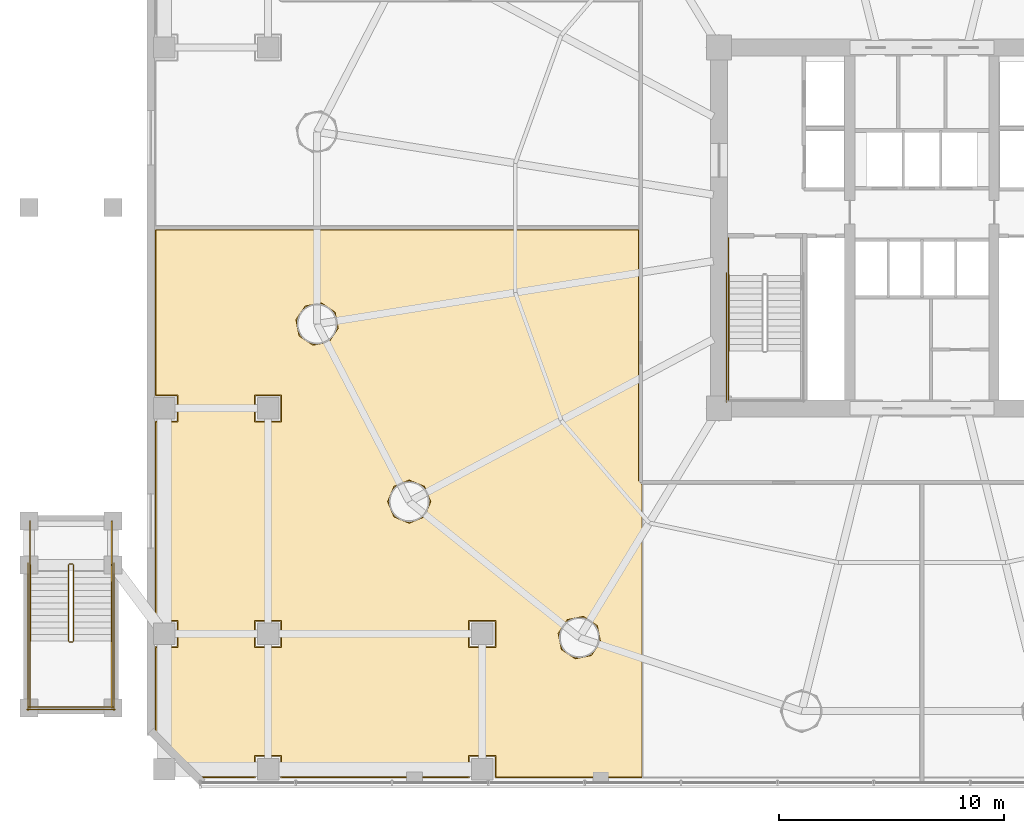
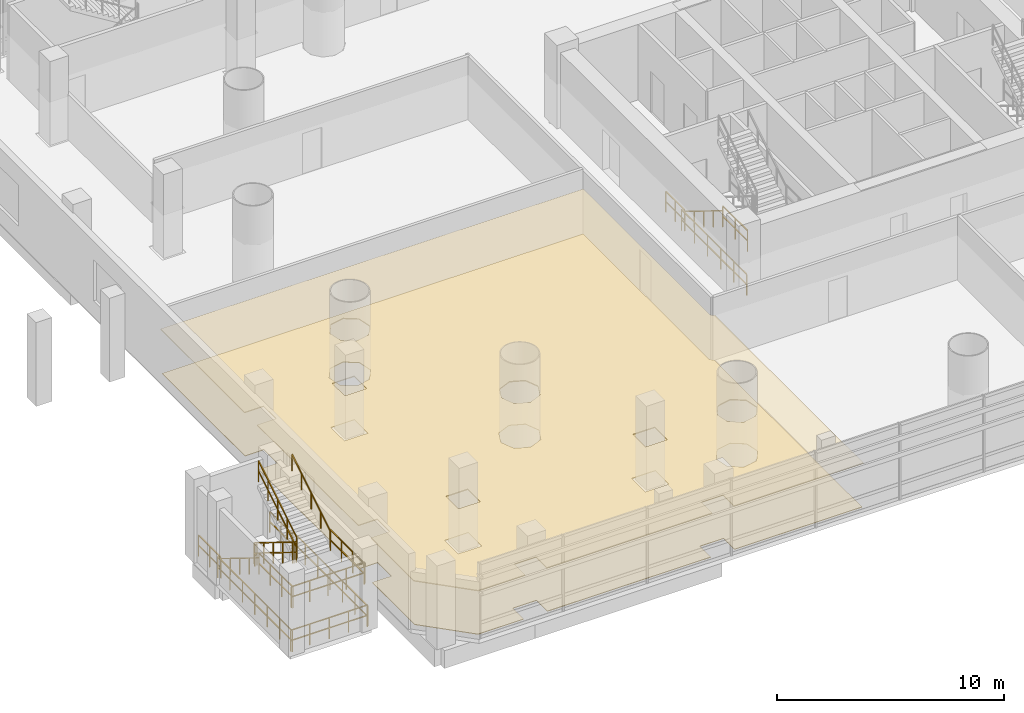
# One storey, part 27 of 36: 18 railings, 2 coverings.
"""IFC4 building model written with IfcOpenShell, lengths in metres."""

from ifc_helpers import new_model, si_unit, direction, frame, origin, origin_2d, place, context, subcontext, project, spatial, polyline, rectangle, outline, extrude, material, layer, layer_set, type_object, element, save


model = new_model("IFC4")

# Units and contexts
model_context = context("Model", 3, precision=1e-05, world=origin(), true_north=direction((-0.2419218956, 0.970295726276)))
body_context = subcontext(model_context, "Body", "Model", "MODEL_VIEW")
ifc_project = project(units=[si_unit("LENGTHUNIT", "METRE"), si_unit("AREAUNIT", "SQUARE_METRE"), si_unit("VOLUMEUNIT", "CUBIC_METRE"), si_unit("PLANEANGLEUNIT", "RADIAN"), si_unit("MASSUNIT", "GRAM", prefix="KILO")], contexts=[model_context])

# Site, building, storey
site_placement = place(None, origin())
site = spatial("IfcSite", under=ifc_project, at=site_placement, CompositionType="ELEMENT")
building_placement = place(site_placement, origin())
building = spatial("IfcBuilding", under=site, at=building_placement, Name="Cobrevalo Terracotta Tower", CompositionType="ELEMENT")
storey_placement = place(building_placement, frame((0.0, 0.0, 14.39990234375)))
storey = spatial("IfcBuildingStorey", under=building, at=storey_placement, Name="L03", CompositionType="ELEMENT", Elevation=14.39990234375)

# Coverings
ifc_material_1 = material(Name="Honed terracotta and granite tile", Category="masonry")
ifc_layer_1 = layer(ifc_material_1, 0.034912109375)
ifc_layer_set_1 = layer_set([ifc_layer_1], Name="Honed terracotta and granite tile")
covering_type_1 = type_object("IfcCoveringType", Name="Honed Terracotta & Granite Interior Flooring 35", PredefinedType="FLOORING", material=ifc_layer_set_1)
covering_1_placement = place(storey_placement, origin())
element("IfcCovering", 1, at=covering_1_placement, inside=storey, type_object=covering_type_1, Name="L03 Hydrotherapy Spa Suite floor finish", PredefinedType="FLOORING", context=body_context, shape_type="SweptSolid", body=[
    extrude(outline(polyline([(4.0400390625, 4.478271484375), (4.0400390625, 8.199951171875), (5.0, 8.199951171875), (5.0, 9.39990234375), (4.0400390625, 9.39990234375), (4.0400390625, 18.199951171875), (5.0, 18.199951171875), (5.0, 19.39990234375), (4.0400390625, 19.39990234375), (4.0400390625, 26.699951171875), (25.419921875, 26.699951171875), (25.419921875, 15.59814453125), (25.580078125, 15.423583984375), (25.580078125, 2.43994140625), (19.10009765625, 2.43994140625), (19.10009765625, 3.39990234375), (17.89990234375, 3.39990234375), (17.89990234375, 2.43994140625), (9.60009765625, 2.43994140625), (9.60009765625, 3.39990234375), (8.39990234375, 3.39990234375), (8.39990234375, 2.43994140625), (6.078369140625, 2.43994140625), (4.0400390625, 4.478271484375)]), holes=[polyline([(23.338623046875, 7.833984375), (23.746826171875, 8.445068359375), (23.603515625, 9.165771484375), (22.992431640625, 9.573974609375), (22.271728515625, 9.4306640625), (21.863525390625, 8.819580078125), (22.0068359375, 8.098876953125), (22.617919921875, 7.690673828125), (23.338623046875, 7.833984375)]), polyline([(17.89990234375, 9.39990234375), (17.89990234375, 8.199951171875), (19.10009765625, 8.199951171875), (19.10009765625, 9.39990234375), (17.89990234375, 9.39990234375)]), polyline([(15.938232421875, 13.98193359375), (16.219482421875, 14.660888671875), (15.938232421875, 15.339599609375), (15.25927734375, 15.620849609375), (14.580322265625, 15.339599609375), (14.29931640625, 14.660888671875), (14.580322265625, 13.98193359375), (15.25927734375, 13.70068359375), (15.938232421875, 13.98193359375)]), polyline([(11.708984375, 21.739013671875), (12.1171875, 22.349853515625), (11.973876953125, 23.07080078125), (11.36279296875, 23.47900390625), (10.64208984375, 23.33544921875), (10.23388671875, 22.724609375), (10.377197265625, 22.00390625), (10.98828125, 21.595703125), (11.708984375, 21.739013671875)]), polyline([(8.39990234375, 9.39990234375), (8.39990234375, 8.199951171875), (9.60009765625, 8.199951171875), (9.60009765625, 9.39990234375), (8.39990234375, 9.39990234375)]), polyline([(8.39990234375, 19.39990234375), (8.39990234375, 18.199951171875), (9.60009765625, 18.199951171875), (9.60009765625, 19.39990234375), (8.39990234375, 19.39990234375)])]), origin(), (0.0, 0.0, 1.0), 0.030029296875),
])
ifc_material_2 = material(Name="Acoustic perforated gypsum ceiling", Category="gypsum")
ifc_layer_2 = layer(ifc_material_2, 0.050048828125)
ifc_layer_set_2 = layer_set([ifc_layer_2], Name="Acoustic perforated gypsum ceiling")
covering_type_2 = type_object("IfcCoveringType", Name="Perforated Acoustic Gypsum Ceiling 50", PredefinedType="CEILING", material=ifc_layer_set_2)
covering_2_placement = place(storey_placement, frame((0.0, 0.0, 2.360107421875)))
element("IfcCovering", 2, at=covering_2_placement, inside=storey, type_object=covering_type_2, Name="L03 Hydrotherapy Spa Suite acoustic ceiling", PredefinedType="CEILING", context=body_context, shape_type="SweptSolid", body=[
    extrude(outline(polyline([(3.9951171875, 4.459716796875), (3.9951171875, 8.2451171875), (4.955078125, 8.2451171875), (4.955078125, 9.35498046875), (3.9951171875, 9.35498046875), (3.9951171875, 18.2451171875), (4.955078125, 18.2451171875), (4.955078125, 19.35498046875), (3.9951171875, 19.35498046875), (3.9951171875, 26.7451171875), (25.465087890625, 26.7451171875), (25.465087890625, 15.6025390625), (25.625, 15.46044921875), (25.625, 2.39501953125), (19.054931640625, 2.39501953125), (19.054931640625, 3.35498046875), (17.945068359375, 3.35498046875), (17.945068359375, 2.39501953125), (9.554931640625, 2.39501953125), (9.554931640625, 3.35498046875), (8.445068359375, 3.35498046875), (8.445068359375, 2.39501953125), (6.0595703125, 2.39501953125), (3.9951171875, 4.459716796875)]), holes=[polyline([(23.3134765625, 7.87158203125), (23.702392578125, 8.453857421875), (23.56591796875, 9.140625), (22.983642578125, 9.52978515625), (22.296875, 9.39306640625), (21.907958984375, 8.810791015625), (22.04443359375, 8.1240234375), (22.626708984375, 7.735107421875), (23.3134765625, 7.87158203125)]), polyline([(17.945068359375, 9.35498046875), (17.945068359375, 8.2451171875), (19.054931640625, 8.2451171875), (19.054931640625, 9.35498046875), (17.945068359375, 9.35498046875)]), polyline([(15.90625, 14.013916015625), (16.174072265625, 14.660888671875), (15.90625, 15.3076171875), (15.25927734375, 15.57568359375), (14.6123046875, 15.3076171875), (14.344482421875, 14.660888671875), (14.6123046875, 14.013916015625), (15.25927734375, 13.745849609375), (15.90625, 14.013916015625)]), polyline([(11.683837890625, 21.776611328125), (12.07275390625, 22.35888671875), (11.936279296875, 23.045654296875), (11.35400390625, 23.4345703125), (10.667236328125, 23.2978515625), (10.2783203125, 22.7158203125), (10.414794921875, 22.029052734375), (10.9970703125, 21.639892578125), (11.683837890625, 21.776611328125)]), polyline([(8.445068359375, 9.35498046875), (8.445068359375, 8.2451171875), (9.554931640625, 8.2451171875), (9.554931640625, 9.35498046875), (8.445068359375, 9.35498046875)]), polyline([(8.445068359375, 19.35498046875), (8.445068359375, 18.2451171875), (9.554931640625, 18.2451171875), (9.554931640625, 19.35498046875), (8.445068359375, 19.35498046875)])]), origin(), (0.0, 0.0, 1.0), 0.050048828125),
])

# Railings
ifc_material_3 = material(Name="Brushed stainless steel", Category="steel")
railing_type_1 = type_object("IfcRailingType", Name="Stainless Steel Stair Handrail 900", PredefinedType="HANDRAIL", material=ifc_material_3)
railing_1_placement = place(storey_placement, frame((29.425048828125, 24.699951171875, 0.173095703125)))
element("IfcRailing", 3, at=railing_1_placement, inside=storey, type_object=railing_type_1, Name="L03 ST-1 stair handrail 1", PredefinedType="HANDRAIL", context=body_context, shape_type="SweptSolid", body=[
    extrude(rectangle(XDim=0.048095703125, YDim=0.048095703125, at=origin_2d()), frame((0.0, 0.0, 0.8759765625), z_axis=(0.0, -0.850606129759, 0.525803396734), x_axis=(1.0, 0.0, 0.0)), (0.0, 0.0, 1.0), 3.949951171875),
    extrude(rectangle(XDim=0.0419921875, YDim=0.0419921875, at=origin_2d()), origin(), (0.0, 0.0, 1.0), 0.851806640625),
    extrude(rectangle(XDim=0.0419921875, YDim=0.0419921875, at=origin_2d()), frame((0.0, -0.83984375, 0.519287109375)), (0.0, 0.0, 1.0), 0.851806640625),
    extrude(rectangle(XDim=0.0419921875, YDim=0.0419921875, at=origin_2d()), frame((0.0, -1.679931640625, 1.03857421875)), (0.0, 0.0, 1.0), 0.851806640625),
    extrude(rectangle(XDim=0.0419921875, YDim=0.0419921875, at=origin_2d()), frame((0.0, -2.52001953125, 1.5576171875)), (0.0, 0.0, 1.0), 0.851806640625),
    extrude(rectangle(XDim=0.0419921875, YDim=0.0419921875, at=origin_2d()), frame((0.0, -3.35986328125, 2.076904296875)), (0.0, 0.0, 1.0), 0.851806640625),
])
railing_2_placement = place(storey_placement, frame((-1.550048828125, 11.85009765625, 0.173095703125)))
element("IfcRailing", 4, at=railing_2_placement, inside=storey, type_object=railing_type_1, Name="L03 ST-EXT-W stair handrail 1", PredefinedType="HANDRAIL", context=body_context, shape_type="SweptSolid", body=[
    extrude(rectangle(XDim=0.048095703125, YDim=0.048095703125, at=origin_2d()), frame((0.0, 0.0, 0.8759765625), z_axis=(0.0, -0.850623216509, 0.525775754039), x_axis=(1.0, 0.0, 0.0)), (0.0, 0.0, 1.0), 3.9501953125),
    extrude(rectangle(XDim=0.0419921875, YDim=0.0419921875, at=origin_2d()), origin(), (0.0, 0.0, 1.0), 0.851806640625),
    extrude(rectangle(XDim=0.0419921875, YDim=0.0419921875, at=origin_2d()), frame((0.0, -0.840087890625, 0.519287109375)), (0.0, 0.0, 1.0), 0.851806640625),
    extrude(rectangle(XDim=0.0419921875, YDim=0.0419921875, at=origin_2d()), frame((0.0, -1.68017578125, 1.03857421875)), (0.0, 0.0, 1.0), 0.851806640625),
    extrude(rectangle(XDim=0.0419921875, YDim=0.0419921875, at=origin_2d()), frame((0.0, -2.52001953125, 1.5576171875)), (0.0, 0.0, 1.0), 0.851806640625),
    extrude(rectangle(XDim=0.0419921875, YDim=0.0419921875, at=origin_2d()), frame((0.0, -3.360107421875, 2.076904296875)), (0.0, 0.0, 1.0), 0.851806640625),
])
railing_3_placement = place(storey_placement, frame((2.070068359375, 8.489990234375, 2.423095703125)))
element("IfcRailing", 5, at=railing_3_placement, inside=storey, type_object=railing_type_1, Name="L03 ST-EXT-W stair handrail 2", PredefinedType="HANDRAIL", context=body_context, shape_type="SweptSolid", body=[
    extrude(rectangle(XDim=0.048095703125, YDim=0.048095703125, at=origin_2d()), frame((0.0, 0.0, 0.8759765625), z_axis=(0.0, 0.850623216509, 0.525775754039), x_axis=(-1.0, 0.0, 0.0)), (0.0, 0.0, 1.0), 3.9501953125),
    extrude(rectangle(XDim=0.0419921875, YDim=0.0419921875, at=origin_2d()), origin(), (0.0, 0.0, 1.0), 0.851806640625),
    extrude(rectangle(XDim=0.0419921875, YDim=0.0419921875, at=origin_2d()), frame((0.0, 0.840087890625, 0.519287109375)), (0.0, 0.0, 1.0), 0.851806640625),
    extrude(rectangle(XDim=0.0419921875, YDim=0.0419921875, at=origin_2d()), frame((0.0, 1.68017578125, 1.03857421875)), (0.0, 0.0, 1.0), 0.851806640625),
    extrude(rectangle(XDim=0.0419921875, YDim=0.0419921875, at=origin_2d()), frame((0.0, 2.52001953125, 1.5576171875)), (0.0, 0.0, 1.0), 0.851806640625),
    extrude(rectangle(XDim=0.0419921875, YDim=0.0419921875, at=origin_2d()), frame((0.0, 3.360107421875, 2.076904296875)), (0.0, 0.0, 1.0), 0.851806640625),
])
ifc_material_4 = material(Name="Painted galvanized steel", Category="steel")
railing_type_2 = type_object("IfcRailingType", Name="Stair Well Guard Balustrade 1150", PredefinedType="GUARDRAIL", material=ifc_material_4)
railing_4_placement = place(storey_placement, frame((29.425048828125, 21.340087890625, 2.25)))
element("IfcRailing", 6, at=railing_4_placement, inside=storey, type_object=railing_type_2, Name="L03 ST-1 stair guard 3", PredefinedType="GUARDRAIL", context=body_context, shape_type="SweptSolid", body=[
    extrude(rectangle(XDim=0.048095703125, YDim=0.048095703125, at=origin_2d()), frame((0.0, 0.0, 1.1259765625), z_axis=(0.0, -1.0, 0.0), x_axis=(1.0, 0.0, 0.0)), (0.0, 0.0, 1.0), 2.1650390625),
    extrude(rectangle(XDim=0.048095703125, YDim=0.048095703125, at=origin_2d()), frame((0.0, 0.0, 0.574951171875), z_axis=(0.0, -1.0, 0.0), x_axis=(1.0, 0.0, 0.0)), (0.0, 0.0, 1.0), 2.1650390625),
    extrude(rectangle(XDim=0.0419921875, YDim=0.0419921875, at=origin_2d()), origin(), (0.0, 0.0, 1.0), 1.101806640625),
    extrude(rectangle(XDim=0.0419921875, YDim=0.0419921875, at=origin_2d()), frame((0.0, -1.08251953125, 0.0)), (0.0, 0.0, 1.0), 1.101806640625),
    extrude(rectangle(XDim=0.0419921875, YDim=0.0419921875, at=origin_2d()), frame((0.0, -2.1650390625, 0.0)), (0.0, 0.0, 1.0), 1.101806640625),
])
railing_5_placement = place(storey_placement, frame((29.425048828125, 26.35009765625, 0.0)))
element("IfcRailing", 7, at=railing_5_placement, inside=storey, type_object=railing_type_2, Name="L03 ST-1 stair guard 8", PredefinedType="GUARDRAIL", context=body_context, shape_type="SweptSolid", body=[
    extrude(rectangle(XDim=0.048095703125, YDim=0.048095703125, at=origin_2d()), frame((0.0, 0.0, 1.1259765625), z_axis=(0.0, -1.0, 0.0), x_axis=(1.0, 0.0, 0.0)), (0.0, 0.0, 1.0), 1.650146484375),
    extrude(rectangle(XDim=0.048095703125, YDim=0.048095703125, at=origin_2d()), frame((0.0, 0.0, 0.574951171875), z_axis=(0.0, -1.0, 0.0), x_axis=(1.0, 0.0, 0.0)), (0.0, 0.0, 1.0), 1.650146484375),
    extrude(rectangle(XDim=0.0419921875, YDim=0.0419921875, at=origin_2d()), origin(), (0.0, 0.0, 1.0), 1.101806640625),
    extrude(rectangle(XDim=0.0419921875, YDim=0.0419921875, at=origin_2d()), frame((0.0, -0.8251953125, 0.0)), (0.0, 0.0, 1.0), 1.101806640625),
    extrude(rectangle(XDim=0.0419921875, YDim=0.0419921875, at=origin_2d()), frame((0.0, -1.650146484375, 0.0)), (0.0, 0.0, 1.0), 1.101806640625),
])
railing_6_placement = place(storey_placement, frame((29.324951171875, 24.800048828125, 0.0)))
element("IfcRailing", 8, at=railing_6_placement, inside=storey, type_object=railing_type_2, Name="L03 ST-1 stair guard 10", PredefinedType="GUARDRAIL", context=body_context, shape_type="SweptSolid", body=[
    extrude(rectangle(XDim=0.048095703125, YDim=0.048095703125, at=origin_2d()), frame((0.0, 0.0, 1.1259765625), z_axis=(0.0, -1.0, 0.0), x_axis=(1.0, 0.0, 0.0)), (0.0, 0.0, 1.0), 5.72509765625),
    extrude(rectangle(XDim=0.048095703125, YDim=0.048095703125, at=origin_2d()), frame((0.0, 0.0, 0.574951171875), z_axis=(0.0, -1.0, 0.0), x_axis=(1.0, 0.0, 0.0)), (0.0, 0.0, 1.0), 5.72509765625),
    extrude(rectangle(XDim=0.0419921875, YDim=0.0419921875, at=origin_2d()), origin(), (0.0, 0.0, 1.0), 1.101806640625),
    extrude(rectangle(XDim=0.0419921875, YDim=0.0419921875, at=origin_2d()), frame((0.0, -1.14501953125, 0.0)), (0.0, 0.0, 1.0), 1.101806640625),
    extrude(rectangle(XDim=0.0419921875, YDim=0.0419921875, at=origin_2d()), frame((0.0, -2.2900390625, 0.0)), (0.0, 0.0, 1.0), 1.101806640625),
    extrude(rectangle(XDim=0.0419921875, YDim=0.0419921875, at=origin_2d()), frame((0.0, -3.43505859375, 0.0)), (0.0, 0.0, 1.0), 1.101806640625),
    extrude(rectangle(XDim=0.0419921875, YDim=0.0419921875, at=origin_2d()), frame((0.0, -4.580078125, 0.0)), (0.0, 0.0, 1.0), 1.101806640625),
    extrude(rectangle(XDim=0.0419921875, YDim=0.0419921875, at=origin_2d()), frame((0.0, -5.72509765625, 0.0)), (0.0, 0.0, 1.0), 1.101806640625),
])
railing_7_placement = place(storey_placement, frame((0.14990234375, 11.85009765625, 0.173095703125)))
element("IfcRailing", 9, at=railing_7_placement, inside=storey, type_object=railing_type_2, Name="L03 ST-EXT-W stair guard 1", PredefinedType="GUARDRAIL", context=body_context, shape_type="SweptSolid", body=[
    extrude(rectangle(XDim=0.048095703125, YDim=0.048095703125, at=origin_2d()), frame((0.0, 0.0, 1.1259765625), z_axis=(0.0, -0.850623216509, 0.525775754039), x_axis=(1.0, 0.0, 0.0)), (0.0, 0.0, 1.0), 3.9501953125),
    extrude(rectangle(XDim=0.048095703125, YDim=0.048095703125, at=origin_2d()), frame((0.0, 0.0, 0.574951171875), z_axis=(0.0, -0.850623216509, 0.525775754039), x_axis=(1.0, 0.0, 0.0)), (0.0, 0.0, 1.0), 3.9501953125),
    extrude(rectangle(XDim=0.0419921875, YDim=0.0419921875, at=origin_2d()), origin(), (0.0, 0.0, 1.0), 1.101806640625),
    extrude(rectangle(XDim=0.0419921875, YDim=0.0419921875, at=origin_2d()), frame((0.0, -0.840087890625, 0.519287109375)), (0.0, 0.0, 1.0), 1.101806640625),
    extrude(rectangle(XDim=0.0419921875, YDim=0.0419921875, at=origin_2d()), frame((0.0, -1.68017578125, 1.03857421875)), (0.0, 0.0, 1.0), 1.101806640625),
    extrude(rectangle(XDim=0.0419921875, YDim=0.0419921875, at=origin_2d()), frame((0.0, -2.52001953125, 1.5576171875)), (0.0, 0.0, 1.0), 1.101806640625),
    extrude(rectangle(XDim=0.0419921875, YDim=0.0419921875, at=origin_2d()), frame((0.0, -3.360107421875, 2.076904296875)), (0.0, 0.0, 1.0), 1.101806640625),
])
railing_8_placement = place(storey_placement, frame((0.199951171875, 8.43994140625, 2.25)))
element("IfcRailing", 10, at=railing_8_placement, inside=storey, type_object=railing_type_2, Name="L03 ST-EXT-W stair guard 2", PredefinedType="GUARDRAIL", context=body_context, shape_type="SweptSolid", body=[
    extrude(rectangle(XDim=0.048095703125, YDim=0.048095703125, at=origin_2d()), frame((0.0, 0.0, 1.1259765625), z_axis=(1.0, 0.0, 0.0), x_axis=(0.0, 1.0, 0.0)), (0.0, 0.0, 1.0), 0.1201171875),
    extrude(rectangle(XDim=0.048095703125, YDim=0.048095703125, at=origin_2d()), frame((0.0, 0.0, 0.574951171875), z_axis=(1.0, 0.0, 0.0), x_axis=(0.0, 1.0, 0.0)), (0.0, 0.0, 1.0), 0.1201171875),
    extrude(rectangle(XDim=0.0419921875, YDim=0.0419921875, at=origin_2d()), origin(), (0.0, 0.0, 1.0), 1.101806640625),
    extrude(rectangle(XDim=0.0419921875, YDim=0.0419921875, at=origin_2d()), frame((0.1201171875, 0.0, 0.0)), (0.0, 0.0, 1.0), 1.101806640625),
])
for number, where, name in (
    (11, (-1.550048828125, 8.489990234375, 2.25), "L03 ST-EXT-W stair guard 3"),
    (12, (2.070068359375, 8.489990234375, 2.25), "L03 ST-EXT-W stair guard 4"),
):
    element("IfcRailing", number, at=place(storey_placement, frame(where)), inside=storey, type_object=railing_type_2, Name=name, PredefinedType="GUARDRAIL", context=body_context, shape_type="SweptSolid", body=[
        extrude(rectangle(XDim=0.048095703125, YDim=0.048095703125, at=origin_2d()), frame((0.0, 0.0, 1.1259765625), z_axis=(0.0, -1.0, 0.0), x_axis=(1.0, 0.0, 0.0)), (0.0, 0.0, 1.0), 2.989990234375),
        extrude(rectangle(XDim=0.048095703125, YDim=0.048095703125, at=origin_2d()), frame((0.0, 0.0, 0.574951171875), z_axis=(0.0, -1.0, 0.0), x_axis=(1.0, 0.0, 0.0)), (0.0, 0.0, 1.0), 2.989990234375),
        extrude(rectangle(XDim=0.0419921875, YDim=0.0419921875, at=origin_2d()), origin(), (0.0, 0.0, 1.0), 1.101806640625),
        extrude(rectangle(XDim=0.0419921875, YDim=0.0419921875, at=origin_2d()), frame((0.0, -0.99658203125, 0.0)), (0.0, 0.0, 1.0), 1.101806640625),
        extrude(rectangle(XDim=0.0419921875, YDim=0.0419921875, at=origin_2d()), frame((0.0, -1.993408203125, 0.0)), (0.0, 0.0, 1.0), 1.101806640625),
        extrude(rectangle(XDim=0.0419921875, YDim=0.0419921875, at=origin_2d()), frame((0.0, -2.989990234375, 0.0)), (0.0, 0.0, 1.0), 1.101806640625),
    ])
railing_9_placement = place(storey_placement, frame((-1.60009765625, 5.550048828125, 2.25)))
element("IfcRailing", 13, at=railing_9_placement, inside=storey, type_object=railing_type_2, Name="L03 ST-EXT-W stair guard 5", PredefinedType="GUARDRAIL", context=body_context, shape_type="SweptSolid", body=[
    extrude(rectangle(XDim=0.048095703125, YDim=0.048095703125, at=origin_2d()), frame((0.0, 0.0, 1.1259765625), z_axis=(1.0, 0.0, 0.0), x_axis=(0.0, 1.0, 0.0)), (0.0, 0.0, 1.0), 3.72021484375),
    extrude(rectangle(XDim=0.048095703125, YDim=0.048095703125, at=origin_2d()), frame((0.0, 0.0, 0.574951171875), z_axis=(1.0, 0.0, 0.0), x_axis=(0.0, 1.0, 0.0)), (0.0, 0.0, 1.0), 3.72021484375),
    extrude(rectangle(XDim=0.0419921875, YDim=0.0419921875, at=origin_2d()), origin(), (0.0, 0.0, 1.0), 1.101806640625),
    extrude(rectangle(XDim=0.0419921875, YDim=0.0419921875, at=origin_2d()), frame((0.93017578125, 0.0, 0.0)), (0.0, 0.0, 1.0), 1.101806640625),
    extrude(rectangle(XDim=0.0419921875, YDim=0.0419921875, at=origin_2d()), frame((1.860107421875, 0.0, 0.0)), (0.0, 0.0, 1.0), 1.101806640625),
    extrude(rectangle(XDim=0.0419921875, YDim=0.0419921875, at=origin_2d()), frame((2.7900390625, 0.0, 0.0)), (0.0, 0.0, 1.0), 1.101806640625),
    extrude(rectangle(XDim=0.0419921875, YDim=0.0419921875, at=origin_2d()), frame((3.72021484375, 0.0, 0.0)), (0.0, 0.0, 1.0), 1.101806640625),
])
railing_10_placement = place(storey_placement, frame((0.3701171875, 8.489990234375, 2.423095703125)))
element("IfcRailing", 14, at=railing_10_placement, inside=storey, type_object=railing_type_2, Name="L03 ST-EXT-W stair guard 6", PredefinedType="GUARDRAIL", context=body_context, shape_type="SweptSolid", body=[
    extrude(rectangle(XDim=0.048095703125, YDim=0.048095703125, at=origin_2d()), frame((0.0, 0.0, 1.1259765625), z_axis=(0.0, 0.850623216509, 0.525775754039), x_axis=(-1.0, 0.0, 0.0)), (0.0, 0.0, 1.0), 3.9501953125),
    extrude(rectangle(XDim=0.048095703125, YDim=0.048095703125, at=origin_2d()), frame((0.0, 0.0, 0.574951171875), z_axis=(0.0, 0.850623216509, 0.525775754039), x_axis=(-1.0, 0.0, 0.0)), (0.0, 0.0, 1.0), 3.9501953125),
    extrude(rectangle(XDim=0.0419921875, YDim=0.0419921875, at=origin_2d()), origin(), (0.0, 0.0, 1.0), 1.101806640625),
    extrude(rectangle(XDim=0.0419921875, YDim=0.0419921875, at=origin_2d()), frame((0.0, 0.840087890625, 0.519287109375)), (0.0, 0.0, 1.0), 1.101806640625),
    extrude(rectangle(XDim=0.0419921875, YDim=0.0419921875, at=origin_2d()), frame((0.0, 1.68017578125, 1.03857421875)), (0.0, 0.0, 1.0), 1.101806640625),
    extrude(rectangle(XDim=0.0419921875, YDim=0.0419921875, at=origin_2d()), frame((0.0, 2.52001953125, 1.5576171875)), (0.0, 0.0, 1.0), 1.101806640625),
    extrude(rectangle(XDim=0.0419921875, YDim=0.0419921875, at=origin_2d()), frame((0.0, 3.360107421875, 2.076904296875)), (0.0, 0.0, 1.0), 1.101806640625),
])
railing_11_placement = place(storey_placement, frame((0.199951171875, 11.89990234375, 0.0)))
element("IfcRailing", 15, at=railing_11_placement, inside=storey, type_object=railing_type_2, Name="L03 ST-EXT-W stair guard 7", PredefinedType="GUARDRAIL", context=body_context, shape_type="SweptSolid", body=[
    extrude(rectangle(XDim=0.048095703125, YDim=0.048095703125, at=origin_2d()), frame((0.0, 0.0, 1.1259765625), z_axis=(1.0, 0.0, 0.0), x_axis=(0.0, 1.0, 0.0)), (0.0, 0.0, 1.0), 0.1201171875),
    extrude(rectangle(XDim=0.048095703125, YDim=0.048095703125, at=origin_2d()), frame((0.0, 0.0, 0.574951171875), z_axis=(1.0, 0.0, 0.0), x_axis=(0.0, 1.0, 0.0)), (0.0, 0.0, 1.0), 0.1201171875),
    extrude(rectangle(XDim=0.0419921875, YDim=0.0419921875, at=origin_2d()), origin(), (0.0, 0.0, 1.0), 1.101806640625),
    extrude(rectangle(XDim=0.0419921875, YDim=0.0419921875, at=origin_2d()), frame((0.1201171875, 0.0, 0.0)), (0.0, 0.0, 1.0), 1.101806640625),
])
for number, where, name in (
    (16, (-1.550048828125, 13.800048828125, 0.0), "L03 ST-EXT-W stair guard 8"),
    (17, (2.070068359375, 13.800048828125, 0.0), "L03 ST-EXT-W stair guard 9"),
):
    element("IfcRailing", number, at=place(storey_placement, frame(where)), inside=storey, type_object=railing_type_2, Name=name, PredefinedType="GUARDRAIL", context=body_context, shape_type="SweptSolid", body=[
        extrude(rectangle(XDim=0.048095703125, YDim=0.048095703125, at=origin_2d()), frame((0.0, 0.0, 1.1259765625), z_axis=(0.0, -1.0, 0.0), x_axis=(1.0, 0.0, 0.0)), (0.0, 0.0, 1.0), 1.949951171875),
        extrude(rectangle(XDim=0.048095703125, YDim=0.048095703125, at=origin_2d()), frame((0.0, 0.0, 0.574951171875), z_axis=(0.0, -1.0, 0.0), x_axis=(1.0, 0.0, 0.0)), (0.0, 0.0, 1.0), 1.949951171875),
        extrude(rectangle(XDim=0.0419921875, YDim=0.0419921875, at=origin_2d()), origin(), (0.0, 0.0, 1.0), 1.101806640625),
        extrude(rectangle(XDim=0.0419921875, YDim=0.0419921875, at=origin_2d()), frame((0.0, -0.97509765625, 0.0)), (0.0, 0.0, 1.0), 1.101806640625),
        extrude(rectangle(XDim=0.0419921875, YDim=0.0419921875, at=origin_2d()), frame((0.0, -1.949951171875, 0.0)), (0.0, 0.0, 1.0), 1.101806640625),
    ])
for number, where, name in (
    (18, (-1.64990234375, 11.949951171875, 0.0), "L03 ST-EXT-W stair guard 10"),
    (19, (2.169921875, 11.949951171875, 0.0), "L03 ST-EXT-W stair guard 11"),
):
    element("IfcRailing", number, at=place(storey_placement, frame(where)), inside=storey, type_object=railing_type_2, Name=name, PredefinedType="GUARDRAIL", context=body_context, shape_type="SweptSolid", body=[
        extrude(rectangle(XDim=0.048095703125, YDim=0.048095703125, at=origin_2d()), frame((0.0, 0.0, 1.1259765625), z_axis=(0.0, -1.0, 0.0), x_axis=(1.0, 0.0, 0.0)), (0.0, 0.0, 1.0), 6.550048828125),
        extrude(rectangle(XDim=0.048095703125, YDim=0.048095703125, at=origin_2d()), frame((0.0, 0.0, 0.574951171875), z_axis=(0.0, -1.0, 0.0), x_axis=(1.0, 0.0, 0.0)), (0.0, 0.0, 1.0), 6.550048828125),
        extrude(rectangle(XDim=0.0419921875, YDim=0.0419921875, at=origin_2d()), origin(), (0.0, 0.0, 1.0), 1.101806640625),
        extrude(rectangle(XDim=0.0419921875, YDim=0.0419921875, at=origin_2d()), frame((0.0, -1.091796875, 0.0)), (0.0, 0.0, 1.0), 1.101806640625),
        extrude(rectangle(XDim=0.0419921875, YDim=0.0419921875, at=origin_2d()), frame((0.0, -2.183349609375, 0.0)), (0.0, 0.0, 1.0), 1.101806640625),
        extrude(rectangle(XDim=0.0419921875, YDim=0.0419921875, at=origin_2d()), frame((0.0, -3.27490234375, 0.0)), (0.0, 0.0, 1.0), 1.101806640625),
        extrude(rectangle(XDim=0.0419921875, YDim=0.0419921875, at=origin_2d()), frame((0.0, -4.36669921875, 0.0)), (0.0, 0.0, 1.0), 1.101806640625),
        extrude(rectangle(XDim=0.0419921875, YDim=0.0419921875, at=origin_2d()), frame((0.0, -5.45849609375, 0.0)), (0.0, 0.0, 1.0), 1.101806640625),
        extrude(rectangle(XDim=0.0419921875, YDim=0.0419921875, at=origin_2d()), frame((0.0, -6.550048828125, 0.0)), (0.0, 0.0, 1.0), 1.101806640625),
    ])
railing_12_placement = place(storey_placement, frame((-1.699951171875, 5.449951171875, 0.0)))
element("IfcRailing", 20, at=railing_12_placement, inside=storey, type_object=railing_type_2, Name="L03 ST-EXT-W stair guard 12", PredefinedType="GUARDRAIL", context=body_context, shape_type="SweptSolid", body=[
    extrude(rectangle(XDim=0.048095703125, YDim=0.048095703125, at=origin_2d()), frame((0.0, 0.0, 1.1259765625), z_axis=(1.0, 0.0, 0.0), x_axis=(0.0, 1.0, 0.0)), (0.0, 0.0, 1.0), 3.919921875),
    extrude(rectangle(XDim=0.048095703125, YDim=0.048095703125, at=origin_2d()), frame((0.0, 0.0, 0.574951171875), z_axis=(1.0, 0.0, 0.0), x_axis=(0.0, 1.0, 0.0)), (0.0, 0.0, 1.0), 3.919921875),
    extrude(rectangle(XDim=0.0419921875, YDim=0.0419921875, at=origin_2d()), origin(), (0.0, 0.0, 1.0), 1.101806640625),
    extrude(rectangle(XDim=0.0419921875, YDim=0.0419921875, at=origin_2d()), frame((0.97998046875, 0.0, 0.0)), (0.0, 0.0, 1.0), 1.101806640625),
    extrude(rectangle(XDim=0.0419921875, YDim=0.0419921875, at=origin_2d()), frame((1.9599609375, 0.0, 0.0)), (0.0, 0.0, 1.0), 1.101806640625),
    extrude(rectangle(XDim=0.0419921875, YDim=0.0419921875, at=origin_2d()), frame((2.93994140625, 0.0, 0.0)), (0.0, 0.0, 1.0), 1.101806640625),
    extrude(rectangle(XDim=0.0419921875, YDim=0.0419921875, at=origin_2d()), frame((3.919921875, 0.0, 0.0)), (0.0, 0.0, 1.0), 1.101806640625),
])

save(model, "model.ifc")
